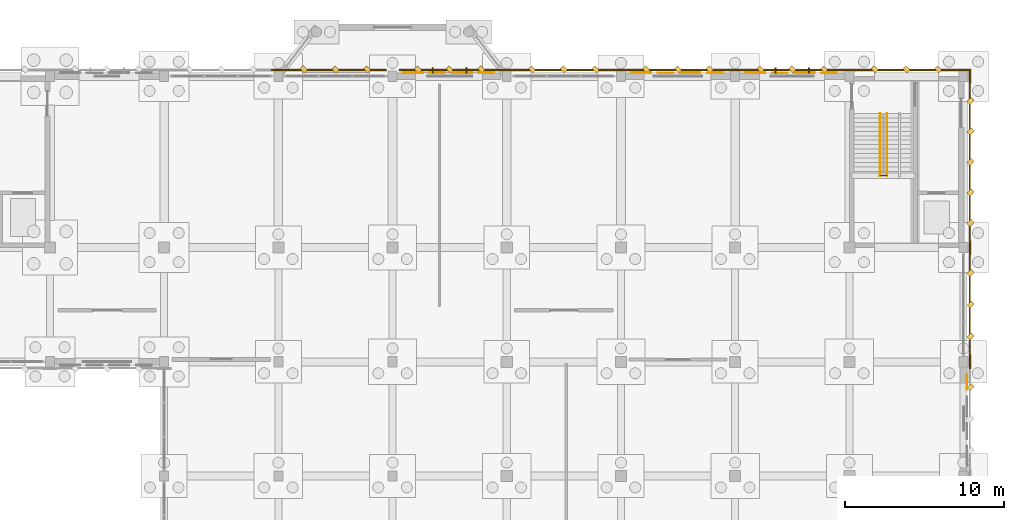
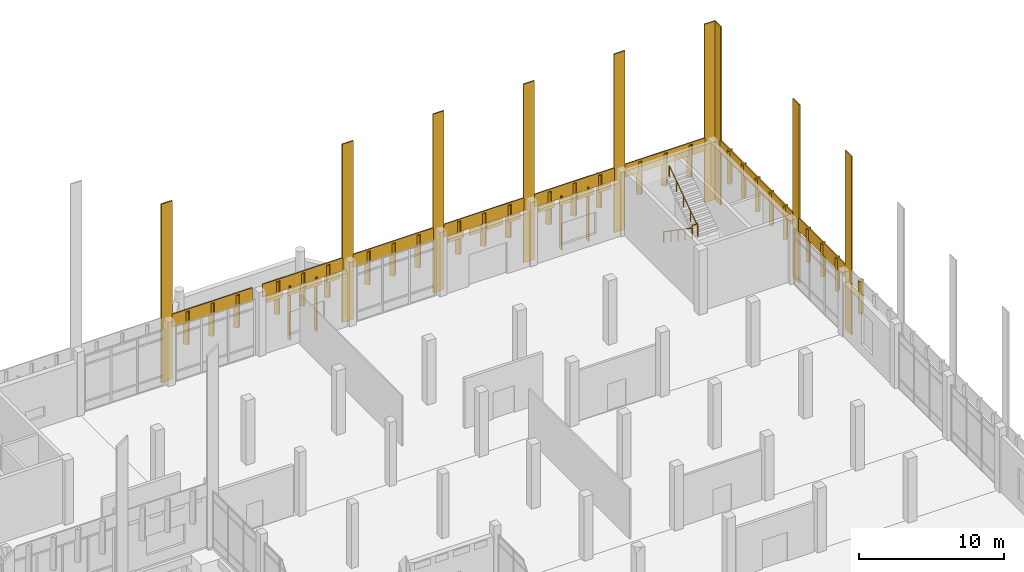
# One storey, part 108 of 109: 61 coverings, 3 railings.
"""IFC4 building model written with IfcOpenShell, lengths in metres."""

from ifc_helpers import new_model, si_unit, direction, frame, origin, origin_2d, place, context, subcontext, project, spatial, rectangle, circle, extrude, material, layer, layer_set, type_object, element, save


model = new_model("IFC4")

# Units and contexts
model_context = context("Model", 3, precision=1e-05, world=origin(), true_north=direction((0.0, 1.0)))
body_context = subcontext(model_context, "Body", "Model", "MODEL_VIEW")
ifc_project = project(units=[si_unit("LENGTHUNIT", "METRE"), si_unit("AREAUNIT", "SQUARE_METRE"), si_unit("VOLUMEUNIT", "CUBIC_METRE"), si_unit("PLANEANGLEUNIT", "RADIAN"), si_unit("MASSUNIT", "GRAM", prefix="KILO")], contexts=[model_context])

# Site, building, storey
site_placement = place(None, origin())
site = spatial("IfcSite", under=ifc_project, at=site_placement, CompositionType="ELEMENT")
building_placement = place(site_placement, origin())
building = spatial("IfcBuilding", under=site, at=building_placement, Name="Lusvemor Sports Hall", CompositionType="ELEMENT")
storey_placement = place(building_placement, origin())
storey = spatial("IfcBuildingStorey", under=building, at=storey_placement, Name="L00", CompositionType="ELEMENT", Elevation=0.0)

# Coverings
ifc_material_1 = material(Name="Precast granite-faced Concrete C40/50 architectural cladding", Category="masonry")
ifc_layer_1 = layer(ifc_material_1, 0.055908203125)
ifc_layer_set_1 = layer_set([ifc_layer_1], Name="Precast granite-faced Concrete C40/50 architectural cladding")
covering_type_1 = type_object("IfcCoveringType", Name="CLAD_RELIEF_FRIEZE", PredefinedType="CLADDING", material=ifc_layer_set_1)
for number, where, z_axis, x_axis, name in (
    (1, (169.610107421875, 97.199951171875, 0.0), (0.0, 0.0, 1.0), (1.0, 0.0, 0.0), "Art Nouveau Pilaster Cladding Casing 431"),
    (2, (169.610107421875, 104.39990234375, 0.0), (0.0, 0.0, 1.0), (1.0, 0.0, 0.0), "Art Nouveau Pilaster Cladding Casing 432"),
    (3, (169.610107421875, 115.199951171875, 0.0), (0.0, 0.0, 1.0), (1.0, 0.0, 0.0), "Art Nouveau Pilaster Cladding Casing 433"),
):
    element("IfcCovering", number, at=place(storey_placement, frame(where, z_axis=z_axis, x_axis=x_axis)), inside=storey, type_object=covering_type_1, Name=name, PredefinedType="CLADDING", context=body_context, shape_type="SweptSolid", body=[
        extrude(rectangle(XDim=0.10009765625, YDim=0.8798828125, at=origin_2d()), origin(), (0.0, 0.0, 1.0), 15.0),
    ])
for number, where, z_axis, x_axis, name in (
    (4, (126.0, 115.610107421875, 0.0), (0.0, 0.0, 1.0), (1.0, 0.0, 0.0), "Art Nouveau Pilaster Cladding Casing 804"),
    (5, (140.39990234375, 115.610107421875, 0.0), (0.0, 0.0, 1.0), (1.0, 0.0, 0.0), "Art Nouveau Pilaster Cladding Casing 805"),
    (6, (147.60009765625, 115.610107421875, 0.0), (0.0, 0.0, 1.0), (1.0, 0.0, 0.0), "Art Nouveau Pilaster Cladding Casing 806"),
    (7, (154.800048828125, 115.610107421875, 0.0), (0.0, 0.0, 1.0), (1.0, 0.0, 0.0), "Art Nouveau Pilaster Cladding Casing 807"),
    (8, (162.0, 115.610107421875, 0.0), (0.0, 0.0, 1.0), (1.0, 0.0, 0.0), "Art Nouveau Pilaster Cladding Casing 808"),
    (9, (169.199951171875, 115.610107421875, 0.0), (0.0, 0.0, 1.0), (1.0, 0.0, 0.0), "Art Nouveau Pilaster Cladding Casing 809"),
):
    element("IfcCovering", number, at=place(storey_placement, frame(where, z_axis=z_axis, x_axis=x_axis)), inside=storey, type_object=covering_type_1, Name=name, PredefinedType="CLADDING", context=body_context, shape_type="SweptSolid", body=[
        extrude(rectangle(XDim=0.8798828125, YDim=0.10009765625, at=origin_2d()), origin(), (0.0, 0.0, 1.0), 15.0),
    ])
ifc_material_2 = material(Name="Emerald polychrome glazed ceramic cladding on Concrete C40/50 backing", Category="concrete")
ifc_layer_2 = layer(ifc_material_2, 0.0458984375)
ifc_layer_set_2 = layer_set([ifc_layer_2], Name="Emerald polychrome glazed ceramic cladding on Concrete C40/50 backing")
covering_type_2 = type_object("IfcCoveringType", Name="CLAD_WAVE_EMERALD", PredefinedType="CLADDING", material=ifc_layer_set_2)
for number, where, z_axis, x_axis, name in (
    (10, (134.47509765625, 115.41796875, 3.9248046875), (0.0, 0.0, 1.0), (1.0, 0.0, 0.0), "Art Nouveau Patterned Cladding PS-EW-L00-N-1-14-1"),
    (11, (137.574951171875, 115.41796875, 3.9248046875), (0.0, 0.0, 1.0), (1.0, 0.0, 0.0), "Art Nouveau Patterned Cladding PS-EW-L00-N-1-14-3"),
    (12, (148.875, 115.41796875, 3.9248046875), (0.0, 0.0, 1.0), (1.0, 0.0, 0.0), "Art Nouveau Patterned Cladding PS-EW-L00-N-1-16-1"),
    (13, (151.97509765625, 115.41796875, 3.9248046875), (0.0, 0.0, 1.0), (1.0, 0.0, 0.0), "Art Nouveau Patterned Cladding PS-EW-L00-N-1-16-3"),
    (14, (156.074951171875, 115.41796875, 3.9248046875), (0.0, 0.0, 1.0), (1.0, 0.0, 0.0), "Art Nouveau Patterned Cladding PS-EW-L00-N-1-17-1"),
    (15, (159.175048828125, 115.41796875, 3.9248046875), (0.0, 0.0, 1.0), (1.0, 0.0, 0.0), "Art Nouveau Patterned Cladding PS-EW-L00-N-1-17-3"),
):
    element("IfcCovering", number, at=place(storey_placement, frame(where, z_axis=z_axis, x_axis=x_axis)), inside=storey, type_object=covering_type_2, Name=name, PredefinedType="CLADDING", context=body_context, shape_type="SweptSolid", body=[
        extrude(rectangle(XDim=1.27099609375, YDim=0.0458984375, at=origin_2d()), origin(), (0.0, 0.0, 1.0), 0.510009765625),
    ])
for number, where, z_axis, x_axis, name in (
    (16, (169.639892578125, 100.800048828125, 2.550048828125), (0.0, 0.0, 1.0), (0.707106781187, 0.707106781187, 0.0), "Patterned Diamond Cladding Rib 460"),
    (17, (169.639892578125, 107.8798828125, 2.550048828125), (0.0, 0.0, 1.0), (0.707106781187, 0.707106781187, 0.0), "Patterned Diamond Cladding Rib 472"),
    (18, (169.639892578125, 111.719970703125, 2.550048828125), (0.0, 0.0, 1.0), (0.707106781187, 0.707106781187, 0.0), "Patterned Diamond Cladding Rib 474"),
):
    element("IfcCovering", number, at=place(storey_placement, frame(where, z_axis=z_axis, x_axis=x_axis)), inside=storey, type_object=covering_type_2, Name=name, PredefinedType="CLADDING", context=body_context, shape_type="SweptSolid", body=[
        extrude(rectangle(XDim=0.3798828125, YDim=0.280029296875, at=origin_2d()), origin(), (0.0, 0.0, 1.0), 2.75),
    ])
for number, where, z_axis, x_axis, name in (
    (19, (129.60009765625, 115.639892578125, 2.550048828125), (0.0, 0.0, 1.0), (0.707106781187, 0.707106781187, 0.0), "Patterned Diamond Cladding Rib 824"),
    (20, (136.800048828125, 115.639892578125, 2.550048828125), (0.0, 0.0, 1.0), (0.707106781187, 0.707106781187, 0.0), "Patterned Diamond Cladding Rib 836"),
    (21, (144.0, 115.639892578125, 2.550048828125), (0.0, 0.0, 1.0), (0.707106781187, 0.707106781187, 0.0), "Patterned Diamond Cladding Rib 848"),
    (22, (151.199951171875, 115.639892578125, 2.550048828125), (0.0, 0.0, 1.0), (0.707106781187, 0.707106781187, 0.0), "Patterned Diamond Cladding Rib 860"),
    (23, (158.39990234375, 115.639892578125, 2.550048828125), (0.0, 0.0, 1.0), (0.707106781187, 0.707106781187, 0.0), "Patterned Diamond Cladding Rib 872"),
    (24, (165.60009765625, 115.639892578125, 2.550048828125), (0.0, 0.0, 1.0), (0.707106781187, 0.707106781187, 0.0), "Patterned Diamond Cladding Rib 884"),
):
    element("IfcCovering", number, at=place(storey_placement, frame(where, z_axis=z_axis, x_axis=x_axis)), inside=storey, type_object=covering_type_2, Name=name, PredefinedType="CLADDING", context=body_context, shape_type="SweptSolid", body=[
        extrude(rectangle(XDim=0.280029296875, YDim=0.3798828125, at=origin_2d()), origin(), (0.0, 0.0, 1.0), 2.75),
    ])
ifc_material_3 = material(Name="Warm terracotta Art Nouveau ceramic cladding on Concrete C40/50 backing", Category="masonry")
ifc_layer_3 = layer(ifc_material_3, 0.0380859375)
ifc_layer_set_3 = layer_set([ifc_layer_3], Name="Warm terracotta Art Nouveau ceramic cladding on Concrete C40/50 backing")
covering_type_3 = type_object("IfcCoveringType", Name="CLAD_WAVE_OCHRE", PredefinedType="CLADDING", material=ifc_layer_set_3)
for number, where, z_axis, x_axis, name in (
    (25, (136.02490234375, 115.4140625, 3.9248046875), (0.0, 0.0, 1.0), (1.0, 0.0, 0.0), "Art Nouveau Patterned Cladding PS-EW-L00-N-1-14-2"),
    (26, (139.125, 115.4140625, 3.9248046875), (0.0, 0.0, 1.0), (1.0, 0.0, 0.0), "Art Nouveau Patterned Cladding PS-EW-L00-N-1-14-4"),
    (27, (150.425048828125, 115.4140625, 3.9248046875), (0.0, 0.0, 1.0), (1.0, 0.0, 0.0), "Art Nouveau Patterned Cladding PS-EW-L00-N-1-16-2"),
    (28, (153.52490234375, 115.4140625, 3.9248046875), (0.0, 0.0, 1.0), (1.0, 0.0, 0.0), "Art Nouveau Patterned Cladding PS-EW-L00-N-1-16-4"),
    (29, (157.625, 115.4140625, 3.9248046875), (0.0, 0.0, 1.0), (1.0, 0.0, 0.0), "Art Nouveau Patterned Cladding PS-EW-L00-N-1-17-2"),
    (30, (160.72509765625, 115.4140625, 3.9248046875), (0.0, 0.0, 1.0), (1.0, 0.0, 0.0), "Art Nouveau Patterned Cladding PS-EW-L00-N-1-17-4"),
):
    element("IfcCovering", number, at=place(storey_placement, frame(where, z_axis=z_axis, x_axis=x_axis)), inside=storey, type_object=covering_type_3, Name=name, PredefinedType="CLADDING", context=body_context, shape_type="SweptSolid", body=[
        extrude(rectangle(XDim=0.991943359375, YDim=0.0380859375, at=origin_2d()), origin(), (0.0, 0.0, 1.0), 0.510009765625),
    ])
covering_1_placement = place(storey_placement, frame((169.4140625, 95.925048828125, 3.9150390625), z_axis=(0.0, 0.0, 1.0), x_axis=(1.0, 0.0, 0.0)))
element("IfcCovering", 31, at=covering_1_placement, inside=storey, type_object=covering_type_3, Name="Art Nouveau Patterned Cladding PS-EW-L00-E-2-1-4", PredefinedType="CLADDING", context=body_context, shape_type="SweptSolid", body=[
    extrude(rectangle(XDim=0.0380859375, YDim=0.991943359375, at=origin_2d()), origin(), (0.0, 0.0, 1.0), 0.510009765625),
])
covering_2_placement = place(storey_placement, frame((169.590087890625, 100.800048828125, 4.3798828125), z_axis=(0.0, 0.0, 1.0), x_axis=(1.0, 0.0, 0.0)))
element("IfcCovering", 32, at=covering_2_placement, inside=storey, type_object=covering_type_3, Name="Art Nouveau Spandrel Cornice 458", PredefinedType="CLADDING", context=body_context, shape_type="SweptSolid", body=[
    extrude(rectangle(XDim=0.090087890625, YDim=6.3798828125, at=origin_2d()), origin(), (0.0, 0.0, 1.0), 1.080078125),
])
covering_3_placement = place(storey_placement, frame((169.590087890625, 109.800048828125, 4.3798828125), z_axis=(0.0, 0.0, 1.0), x_axis=(1.0, 0.0, 0.0)))
element("IfcCovering", 33, at=covering_3_placement, inside=storey, type_object=covering_type_3, Name="Art Nouveau Spandrel Cornice 470", PredefinedType="CLADDING", context=body_context, shape_type="SweptSolid", body=[
    extrude(rectangle(XDim=0.090087890625, YDim=9.97998046875, at=origin_2d()), origin(), (0.0, 0.0, 1.0), 1.080078125),
])
for number, where, z_axis, x_axis, name in (
    (34, (129.60009765625, 115.590087890625, 4.3798828125), (0.0, 0.0, 1.0), (1.0, 0.0, 0.0), "Art Nouveau Spandrel Cornice 822"),
    (35, (136.800048828125, 115.590087890625, 4.3798828125), (0.0, 0.0, 1.0), (1.0, 0.0, 0.0), "Art Nouveau Spandrel Cornice 834"),
    (36, (144.0, 115.590087890625, 4.3798828125), (0.0, 0.0, 1.0), (1.0, 0.0, 0.0), "Art Nouveau Spandrel Cornice 846"),
    (37, (151.199951171875, 115.590087890625, 4.3798828125), (0.0, 0.0, 1.0), (1.0, 0.0, 0.0), "Art Nouveau Spandrel Cornice 858"),
    (38, (158.39990234375, 115.590087890625, 4.3798828125), (0.0, 0.0, 1.0), (1.0, 0.0, 0.0), "Art Nouveau Spandrel Cornice 870"),
    (39, (165.60009765625, 115.590087890625, 4.3798828125), (0.0, 0.0, 1.0), (1.0, 0.0, 0.0), "Art Nouveau Spandrel Cornice 882"),
):
    element("IfcCovering", number, at=place(storey_placement, frame(where, z_axis=z_axis, x_axis=x_axis)), inside=storey, type_object=covering_type_3, Name=name, PredefinedType="CLADDING", context=body_context, shape_type="SweptSolid", body=[
        extrude(rectangle(XDim=6.3798828125, YDim=0.090087890625, at=origin_2d()), origin(), (0.0, 0.0, 1.0), 1.080078125),
    ])
ifc_material_4 = material(Name="Emerald polychrome glazed ceramic cladding on Concrete C40/50 backing", Category="concrete")
ifc_layer_4 = layer(ifc_material_4, 0.35009765625)
ifc_layer_set_4 = layer_set([ifc_layer_4], Name="Emerald polychrome glazed ceramic cladding on Concrete C40/50 backing")
covering_type_4 = type_object("IfcCoveringType", Name="FIN_BRISE_CER_350", PredefinedType="MOLDING", material=ifc_layer_set_4)
for number, where, z_axis, x_axis, name in (
    (40, (135.739990234375, 115.580078125, 0.10009765625), (0.0, 0.0, 1.0), (1.0, 0.0, 0.0), "Wing Brise-Soleil Fin L00-N-1-14-1"),
    (41, (137.860107421875, 115.580078125, 0.10009765625), (0.0, 0.0, 1.0), (1.0, 0.0, 0.0), "Wing Brise-Soleil Fin L00-N-1-14-2"),
    (42, (157.340087890625, 115.580078125, 0.10009765625), (0.0, 0.0, 1.0), (1.0, 0.0, 0.0), "Wing Brise-Soleil Fin L00-N-1-17-1"),
    (43, (159.4599609375, 115.580078125, 0.10009765625), (0.0, 0.0, 1.0), (1.0, 0.0, 0.0), "Wing Brise-Soleil Fin L00-N-1-17-2"),
):
    element("IfcCovering", number, at=place(storey_placement, frame(where, z_axis=z_axis, x_axis=x_axis)), inside=storey, type_object=covering_type_4, Name=name, PredefinedType="MOLDING", context=body_context, shape_type="SweptSolid", body=[
        extrude(rectangle(XDim=0.080078125, YDim=0.35009765625, at=origin_2d()), origin(), (0.0, 0.0, 1.0), 4.52001953125),
    ])
ifc_material_5 = material(Name="Warm terracotta Art Nouveau ceramic cladding on Concrete C40/50 backing", Category="masonry")
ifc_layer_5 = layer(ifc_material_5, 0.449951171875)
ifc_layer_set_5 = layer_set([ifc_layer_5], Name="Warm terracotta Art Nouveau ceramic cladding on Concrete C40/50 backing")
covering_type_5 = type_object("IfcCoveringType", Name="FIN_BRISE_CER_450", PredefinedType="MOLDING", material=ifc_layer_set_5)
for number, where, z_axis, x_axis, name in (
    (44, (169.639892578125, 95.60009765625, 2.550048828125), (0.0, 0.0, 1.0), (0.707106781187, 0.707106781187, 0.0), "Patterned Diamond Cladding Rib 449"),
    (45, (169.639892578125, 98.800048828125, 2.550048828125), (0.0, 0.0, 1.0), (0.707106781187, 0.707106781187, 0.0), "Patterned Diamond Cladding Rib 459"),
    (46, (169.639892578125, 102.800048828125, 2.550048828125), (0.0, 0.0, 1.0), (0.707106781187, 0.707106781187, 0.0), "Patterned Diamond Cladding Rib 461"),
    (47, (169.639892578125, 105.9599609375, 2.550048828125), (0.0, 0.0, 1.0), (0.707106781187, 0.707106781187, 0.0), "Patterned Diamond Cladding Rib 471"),
    (48, (169.639892578125, 109.800048828125, 2.550048828125), (0.0, 0.0, 1.0), (0.707106781187, 0.707106781187, 0.0), "Patterned Diamond Cladding Rib 473"),
    (49, (169.639892578125, 113.639892578125, 2.550048828125), (0.0, 0.0, 1.0), (0.707106781187, 0.707106781187, 0.0), "Patterned Diamond Cladding Rib 475"),
):
    element("IfcCovering", number, at=place(storey_placement, frame(where, z_axis=z_axis, x_axis=x_axis)), inside=storey, type_object=covering_type_5, Name=name, PredefinedType="MOLDING", context=body_context, shape_type="SweptSolid", body=[
        extrude(rectangle(XDim=0.3798828125, YDim=0.280029296875, at=origin_2d()), origin(), (0.0, 0.0, 1.0), 2.75),
    ])
for number, where, z_axis, x_axis, name in (
    (50, (127.60009765625, 115.639892578125, 2.550048828125), (0.0, 0.0, 1.0), (0.707106781187, 0.707106781187, 0.0), "Patterned Diamond Cladding Rib 823"),
    (51, (131.60009765625, 115.639892578125, 2.550048828125), (0.0, 0.0, 1.0), (0.707106781187, 0.707106781187, 0.0), "Patterned Diamond Cladding Rib 825"),
    (52, (134.800048828125, 115.639892578125, 2.550048828125), (0.0, 0.0, 1.0), (0.707106781187, 0.707106781187, 0.0), "Patterned Diamond Cladding Rib 835"),
    (53, (138.800048828125, 115.639892578125, 2.550048828125), (0.0, 0.0, 1.0), (0.707106781187, 0.707106781187, 0.0), "Patterned Diamond Cladding Rib 837"),
    (54, (142.0, 115.639892578125, 2.550048828125), (0.0, 0.0, 1.0), (0.707106781187, 0.707106781187, 0.0), "Patterned Diamond Cladding Rib 847"),
    (55, (146.0, 115.639892578125, 2.550048828125), (0.0, 0.0, 1.0), (0.707106781187, 0.707106781187, 0.0), "Patterned Diamond Cladding Rib 849"),
    (56, (149.199951171875, 115.639892578125, 2.550048828125), (0.0, 0.0, 1.0), (0.707106781187, 0.707106781187, 0.0), "Patterned Diamond Cladding Rib 859"),
    (57, (153.199951171875, 115.639892578125, 2.550048828125), (0.0, 0.0, 1.0), (0.707106781187, 0.707106781187, 0.0), "Patterned Diamond Cladding Rib 861"),
    (58, (156.39990234375, 115.639892578125, 2.550048828125), (0.0, 0.0, 1.0), (0.707106781187, 0.707106781187, 0.0), "Patterned Diamond Cladding Rib 871"),
    (59, (160.39990234375, 115.639892578125, 2.550048828125), (0.0, 0.0, 1.0), (0.707106781187, 0.707106781187, 0.0), "Patterned Diamond Cladding Rib 873"),
    (60, (163.60009765625, 115.639892578125, 2.550048828125), (0.0, 0.0, 1.0), (0.707106781187, 0.707106781187, 0.0), "Patterned Diamond Cladding Rib 883"),
    (61, (167.60009765625, 115.639892578125, 2.550048828125), (0.0, 0.0, 1.0), (0.707106781187, 0.707106781187, 0.0), "Patterned Diamond Cladding Rib 885"),
):
    element("IfcCovering", number, at=place(storey_placement, frame(where, z_axis=z_axis, x_axis=x_axis)), inside=storey, type_object=covering_type_5, Name=name, PredefinedType="MOLDING", context=body_context, shape_type="SweptSolid", body=[
        extrude(rectangle(XDim=0.280029296875, YDim=0.3798828125, at=origin_2d()), origin(), (0.0, 0.0, 1.0), 2.75),
    ])

# Railings
ifc_material_6 = material(Name="Bronze-finished wrought-steel Art Nouveau balustrade", Category="steel")
railing_type_1 = type_object("IfcRailingType", Name="RAIL_HANDRAIL_092", PredefinedType="HANDRAIL", material=ifc_material_6)
railing_1_placement = place(storey_placement, frame((163.93994140625, 112.85009765625, 0.0)))
element("IfcRailing", 62, at=railing_1_placement, inside=storey, type_object=railing_type_1, Name="Stair STR-C5-L00 Handrail F1", PredefinedType="HANDRAIL", context=body_context, shape_type="SweptSolid", body=[
    extrude(circle(Radius=0.02392578125, at=origin_2d()), frame((0.0, 0.0, 0.89599609375), z_axis=(0.0, -0.823567234665, 0.567218661528), x_axis=(1.0, 0.0, 0.0)), (0.0, 0.0, 1.0), 4.760009765625),
    extrude(circle(Radius=0.02099609375, at=origin_2d()), origin(), (0.0, 0.0, 1.0), 0.871826171875),
    extrude(circle(Radius=0.02099609375, at=origin_2d()), frame((0.0, -0.97998046875, 0.675048828125)), (0.0, 0.0, 1.0), 0.871826171875),
    extrude(circle(Radius=0.02099609375, at=origin_2d()), frame((0.0, -1.9599609375, 1.35009765625)), (0.0, 0.0, 1.0), 0.871826171875),
    extrude(circle(Radius=0.02099609375, at=origin_2d()), frame((0.0, -2.940185546875, 2.02490234375)), (0.0, 0.0, 1.0), 0.871826171875),
    extrude(circle(Radius=0.02099609375, at=origin_2d()), frame((0.0, -3.920166015625, 2.699951171875)), (0.0, 0.0, 1.0), 0.871826171875),
])
railing_2_placement = place(storey_placement, frame((164.3798828125, 108.929931640625, 2.699951171875)))
element("IfcRailing", 63, at=railing_2_placement, inside=storey, type_object=railing_type_1, Name="Stair STR-C5-L00 Handrail F2", PredefinedType="HANDRAIL", context=body_context, shape_type="SweptSolid", body=[
    extrude(circle(Radius=0.02392578125, at=origin_2d()), frame((0.0, 0.0, 0.89599609375), z_axis=(0.0, 0.823567234665, 0.567218661528), x_axis=(-1.0, 0.0, 0.0)), (0.0, 0.0, 1.0), 4.760009765625),
    extrude(circle(Radius=0.02099609375, at=origin_2d()), origin(), (0.0, 0.0, 1.0), 0.871826171875),
    extrude(circle(Radius=0.02099609375, at=origin_2d()), frame((0.0, 0.97998046875, 0.675048828125)), (0.0, 0.0, 1.0), 0.871826171875),
    extrude(circle(Radius=0.02099609375, at=origin_2d()), frame((0.0, 1.9599609375, 1.35009765625)), (0.0, 0.0, 1.0), 0.871826171875),
    extrude(circle(Radius=0.02099609375, at=origin_2d()), frame((0.0, 2.940185546875, 2.02490234375)), (0.0, 0.0, 1.0), 0.871826171875),
    extrude(circle(Radius=0.02099609375, at=origin_2d()), frame((0.0, 3.920166015625, 2.699951171875)), (0.0, 0.0, 1.0), 0.871826171875),
])
ifc_material_7 = material(Name="Bronze-finished wrought-steel Art Nouveau balustrade", Category="steel")
railing_type_2 = type_object("IfcRailingType", Name="RAIL_STAIR_GUARD_112", PredefinedType="GUARDRAIL", material=ifc_material_7)
railing_3_placement = place(storey_placement, frame((163.93994140625, 108.949951171875, 2.699951171875)))
element("IfcRailing", 64, at=railing_3_placement, inside=storey, type_object=railing_type_2, Name="Stair STR-C5-L00 Mid Well Guard", PredefinedType="GUARDRAIL", context=body_context, shape_type="SweptSolid", body=[
    extrude(circle(Radius=0.02392578125, at=origin_2d()), frame((0.0, 0.0, 1.09619140625), z_axis=(1.0, 0.0, 0.0), x_axis=(0.0, 1.0, 0.0)), (0.0, 0.0, 1.0), 0.43994140625),
    extrude(circle(Radius=0.02099609375, at=origin_2d()), origin(), (0.0, 0.0, 1.0), 1.072021484375),
    extrude(circle(Radius=0.02099609375, at=origin_2d()), frame((0.43994140625, 0.0, 0.0)), (0.0, 0.0, 1.0), 1.072021484375),
])

save(model, "model.ifc")
